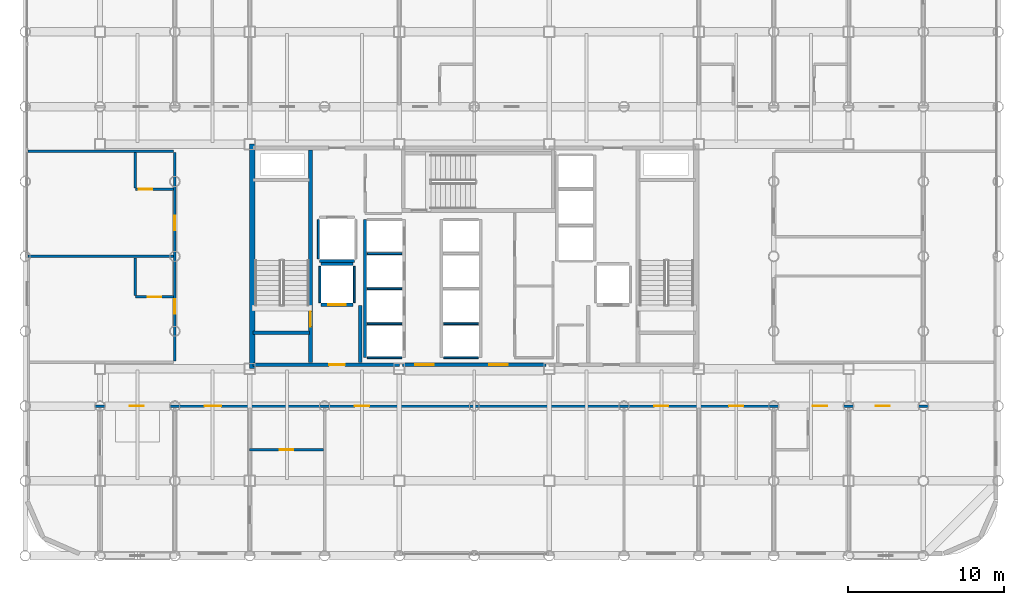
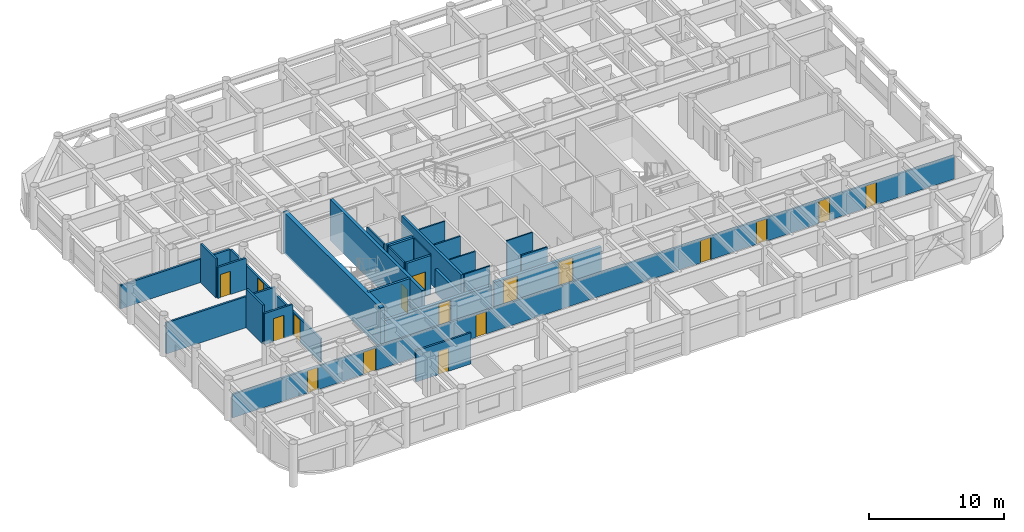
# One storey, part 17 of 22: 28 walls, 17 doors, 17 openings.
"""IFC4 building model written with IfcOpenShell, lengths in metres."""

from ifc_helpers import new_model, si_unit, direction, frame, frame_2d, origin, place, context, subcontext, project, spatial, rectangle, extrude, material, layer, layer_set, type_object, element, fill, save


model = new_model("IFC4")

# Units and contexts
model_context = context("Model", 3, precision=1e-05, world=origin(), true_north=direction((0.0, 1.0)))
body_context = subcontext(model_context, "Body", "Model", "MODEL_VIEW")
ifc_project = project(units=[si_unit("LENGTHUNIT", "METRE"), si_unit("AREAUNIT", "SQUARE_METRE"), si_unit("VOLUMEUNIT", "CUBIC_METRE"), si_unit("PLANEANGLEUNIT", "RADIAN"), si_unit("MASSUNIT", "GRAM", prefix="KILO")], contexts=[model_context])

# Site, building, storey
site_placement = place(None, origin())
site = spatial("IfcSite", under=ifc_project, at=site_placement, CompositionType="ELEMENT")
building_placement = place(site_placement, origin())
building = spatial("IfcBuilding", under=site, at=building_placement, Name="Kallvorn Hotel Tower", CompositionType="ELEMENT")
storey_placement = place(building_placement, frame((0.0, 0.0, 95.199951171875)))
storey = spatial("IfcBuildingStorey", under=building, at=storey_placement, Name="L22", CompositionType="ELEMENT", Elevation=95.199951171875)

# Wall
ifc_material_1 = material(Name="Concrete C50/60", Category="concrete")
ifc_layer_1 = layer(ifc_material_1, 0.35009765625)
ifc_layer_set_1 = layer_set([ifc_layer_1], Name="WL_CORE_350")
wall_type_1 = type_object("IfcWallType", Name="WL_CORE_350", PredefinedType="SHEAR", material=ifc_layer_set_1)
wall_1_placement = place(storey_placement, frame((-14.239990234375, -7.199951171875, -0.179931640625), z_axis=(0.0, 0.0, 1.0), x_axis=(0.0, 1.0, 0.0)))
element("IfcWall", 1, at=wall_1_placement, inside=storey, type_object=wall_type_1, Name="L22 Core West Shear Wall", PredefinedType="SHEAR", context=body_context, shape_type="SweptSolid", body=[
    extrude(rectangle(XDim=14.39990234375, YDim=0.35009765625, at=frame_2d((7.199951171875, 0.0))), origin(), (0.0, 0.0, 1.0), 3.699951171875),
])

# Wall, opening, door
ifc_material_2 = material(Name="Fire-rated double-layer acoustic gypsum drywall EI 60")
ifc_layer_2 = layer(ifc_material_2, 0.159912109375)
ifc_layer_set_2 = layer_set([ifc_layer_2], Name="WL_DEMISE_160")
wall_type_2 = type_object("IfcWallType", Name="WL_DEMISE_160", PredefinedType="PARTITIONING", material=ifc_layer_set_2)
wall_2_placement = place(storey_placement, frame((-14.39990234375, -12.39501953125, 0.0), z_axis=(0.0, 0.0, 1.0), x_axis=(1.0, 0.0, 0.0)))
wall_2 = element("IfcWall", 2, at=wall_2_placement, inside=storey, type_object=wall_type_2, Name="L22 Suite 2203 Executive Bedroom Partition", PredefinedType="PARTITIONING", context=body_context, shape_type="SweptSolid", body=[
    extrude(rectangle(XDim=4.719970703125, YDim=0.159912109375, at=frame_2d((2.35986328125, 0.0))), origin(), (0.0, 0.0, 1.0), 2.820068359375),
])
opening_1_placement = place(wall_2_placement, frame((1.929931640625, 0.0, 0.0)))
opening_1 = element("IfcOpeningElement", 3, at=opening_1_placement, cuts=wall_2, Name="Opening BD-I", PredefinedType="OPENING", context=body_context, shape_type="SweptSolid", body=[
    extrude(rectangle(XDim=0.860107421875, YDim=2.10009765625, at=frame_2d((0.43017578125, 1.050048828125))), frame((0.0, 0.094970703125, 0.0), z_axis=(0.0, -1.0, 0.0), x_axis=(1.0, 0.0, 0.0)), (0.0, 0.0, 1.0), 0.18994140625),
])
ifc_material_3 = material(Name="Solid-core walnut veneer fire-rated timber door leaf", Category="wood")
door_type_1 = type_object("IfcDoorType", Name="DR_BATH_860x2100", OperationType="NOTDEFINED", PredefinedType="DOOR", material=ifc_material_3)
door_1_placement = place(opening_1_placement, origin())
door_1 = element("IfcDoor", 4, at=door_1_placement, inside=storey, type_object=door_type_1, Name="L22 Suite 2203 En-Suite Bathroom Door", OperationType="SINGLE_SWING_RIGHT", OverallHeight=2.10009765625, OverallWidth=0.860107421875, PredefinedType="DOOR", context=body_context, shape_type="SweptSolid", body=[
    extrude(rectangle(XDim=0.860107421875, YDim=2.10009765625, at=frame_2d((0.43017578125, 1.050048828125))), frame((0.0, 0.02490234375, 0.0), z_axis=(0.0, -1.0, 0.0), x_axis=(1.0, 0.0, 0.0)), (0.0, 0.0, 1.0), 0.050048828125),
])
fill(opening_1, door_1)

# Wall, openings, doors
wall_3_placement = place(storey_placement, frame((-28.510009765625, -9.60009765625, 0.0), z_axis=(0.0, 0.0, 1.0), x_axis=(1.0, 0.0, 0.0)))
wall_3 = element("IfcWall", 5, at=wall_3_placement, inside=storey, type_object=wall_type_2, Name="L22 Suite 2203 Executive Living Salon Partition", PredefinedType="PARTITIONING", context=body_context, shape_type="SweptSolid", body=[
    extrude(rectangle(XDim=61.820068359375, YDim=0.159912109375, at=frame_2d((30.91015625, 0.0))), origin(), (0.0, 0.0, 1.0), 2.1201171875),
])
opening_2_placement = place(wall_3_placement, frame((6.419921875, 0.0, 0.0)))
opening_2 = element("IfcOpeningElement", 6, at=opening_2_placement, cuts=wall_3, Name="Opening SVD1A", PredefinedType="OPENING", context=body_context, shape_type="SweptSolid", body=[
    extrude(rectangle(XDim=0.89990234375, YDim=2.02001953125, at=frame_2d((0.449951171875, 1.010009765625))), frame((0.0, 0.094970703125, 0.0), z_axis=(0.0, -1.0, 0.0), x_axis=(1.0, 0.0, 0.0)), (0.0, 0.0, 1.0), 0.18994140625),
])
opening_3_placement = place(wall_3_placement, frame((54.240478515625, 0.0, 0.0)))
opening_3 = element("IfcOpeningElement", 7, at=opening_3_placement, cuts=wall_3, Name="Opening SVD1A", PredefinedType="OPENING", context=body_context, shape_type="SweptSolid", body=[
    extrude(rectangle(XDim=0.89990234375, YDim=2.02001953125, at=frame_2d((0.449951171875, 1.010009765625))), frame((0.0, 0.094970703125, 0.0), z_axis=(0.0, -1.0, 0.0), x_axis=(1.0, 0.0, 0.0)), (0.0, 0.0, 1.0), 0.18994140625),
])
opening_4_placement = place(wall_3_placement, frame((11.22509765625, 0.0, 0.0)))
opening_4 = element("IfcOpeningElement", 8, at=opening_4_placement, cuts=wall_3, Name="Opening GD2A", PredefinedType="OPENING", context=body_context, shape_type="SweptSolid", body=[
    extrude(rectangle(XDim=1.050048828125, YDim=2.02001953125, at=frame_2d((0.52490234375, 1.010009765625))), frame((0.0, 0.094970703125, 0.0), z_axis=(0.0, -1.0, 0.0), x_axis=(1.0, 0.0, 0.0)), (0.0, 0.0, 1.0), 0.18994140625),
])
opening_5_placement = place(wall_3_placement, frame((20.860107421875, 0.0, 0.0)))
opening_5 = element("IfcOpeningElement", 9, at=opening_5_placement, cuts=wall_3, Name="Opening SVD1A", PredefinedType="OPENING", context=body_context, shape_type="SweptSolid", body=[
    extrude(rectangle(XDim=0.89990234375, YDim=2.02001953125, at=frame_2d((0.449951171875, 1.010009765625))), frame((0.0, 0.094970703125, 0.0), z_axis=(0.0, -1.0, 0.0), x_axis=(1.0, 0.0, 0.0)), (0.0, 0.0, 1.0), 0.18994140625),
])
opening_6_placement = place(wall_3_placement, frame((40.06005859375, 0.0, 0.0)))
opening_6 = element("IfcOpeningElement", 10, at=opening_6_placement, cuts=wall_3, Name="Opening SVD1A", PredefinedType="OPENING", context=body_context, shape_type="SweptSolid", body=[
    extrude(rectangle(XDim=0.89990234375, YDim=2.02001953125, at=frame_2d((0.449951171875, 1.010009765625))), frame((0.0, 0.094970703125, 0.0), z_axis=(0.0, -1.0, 0.0), x_axis=(1.0, 0.0, 0.0)), (0.0, 0.0, 1.0), 0.18994140625),
])
opening_7_placement = place(wall_3_placement, frame((44.860107421875, 0.0, 0.0)))
opening_7 = element("IfcOpeningElement", 11, at=opening_7_placement, cuts=wall_3, Name="Opening SVD1A", PredefinedType="OPENING", context=body_context, shape_type="SweptSolid", body=[
    extrude(rectangle(XDim=0.89990234375, YDim=2.02001953125, at=frame_2d((0.449951171875, 1.010009765625))), frame((0.0, 0.094970703125, 0.0), z_axis=(0.0, -1.0, 0.0), x_axis=(1.0, 0.0, 0.0)), (0.0, 0.0, 1.0), 0.18994140625),
])
opening_8_placement = place(wall_3_placement, frame((50.219970703125, 0.0, 0.0)))
opening_8 = element("IfcOpeningElement", 12, at=opening_8_placement, cuts=wall_3, Name="Opening GD1A", PredefinedType="OPENING", context=body_context, shape_type="SweptSolid", body=[
    extrude(rectangle(XDim=0.919921875, YDim=2.02001953125, at=frame_2d((0.4599609375, 1.010009765625))), frame((0.0, 0.094970703125, 0.0), z_axis=(0.0, -1.0, 0.0), x_axis=(1.0, 0.0, 0.0)), (0.0, 0.0, 1.0), 0.18994140625),
])
ifc_material_4 = material(Name="Solid-core walnut veneer fire-rated timber door leaf", Category="wood")
door_type_2 = type_object("IfcDoorType", Name="DR_GUEST_920x2020", OperationType="NOTDEFINED", PredefinedType="DOOR", material=ifc_material_4)
door_2_placement = place(opening_8_placement, origin())
door_2 = element("IfcDoor", 13, at=door_2_placement, inside=storey, type_object=door_type_2, Name="L22 Suite 2204 Deluxe King Room Door", OperationType="SINGLE_SWING_RIGHT", OverallHeight=2.02001953125, OverallWidth=0.919921875, PredefinedType="DOOR", context=body_context, shape_type="SweptSolid", body=[
    extrude(rectangle(XDim=0.919921875, YDim=2.02001953125, at=frame_2d((0.4599609375, 1.010009765625))), frame((0.0, 0.02490234375, 0.0), z_axis=(0.0, -1.0, 0.0), x_axis=(1.0, 0.0, 0.0)), (0.0, 0.0, 1.0), 0.050048828125),
])
fill(opening_8, door_2)
ifc_material_5 = material(Name="Galvanised painted steel fire-rated door assembly", Category="steel")
door_type_3 = type_object("IfcDoorType", Name="DR_SERV_900x2020", OperationType="NOTDEFINED", PredefinedType="DOOR", material=ifc_material_5)
door_3_placement = place(opening_2_placement, origin())
door_3 = element("IfcDoor", 14, at=door_3_placement, inside=storey, type_object=door_type_3, Name="L22 L22 South-West Botanical Bar B Door", OperationType="SINGLE_SWING_RIGHT", OverallHeight=2.02001953125, OverallWidth=0.89990234375, PredefinedType="DOOR", context=body_context, shape_type="SweptSolid", body=[
    extrude(rectangle(XDim=0.89990234375, YDim=2.02001953125, at=frame_2d((0.449951171875, 1.010009765625))), frame((0.0, 0.02490234375, 0.0), z_axis=(0.0, -1.0, 0.0), x_axis=(1.0, 0.0, 0.0)), (0.0, 0.0, 1.0), 0.050048828125),
])
fill(opening_2, door_3)
door_4_placement = place(opening_3_placement, origin())
door_4 = element("IfcDoor", 15, at=door_4_placement, inside=storey, type_object=door_type_3, Name="L22 L22 South-East Sommelier Bar Door", OperationType="SINGLE_SWING_RIGHT", OverallHeight=2.02001953125, OverallWidth=0.89990234375, PredefinedType="DOOR", context=body_context, shape_type="SweptSolid", body=[
    extrude(rectangle(XDim=0.89990234375, YDim=2.02001953125, at=frame_2d((0.449951171875, 1.010009765625))), frame((0.0, 0.02490234375, 0.0), z_axis=(0.0, -1.0, 0.0), x_axis=(1.0, 0.0, 0.0)), (0.0, 0.0, 1.0), 0.050048828125),
])
fill(opening_3, door_4)
door_5_placement = place(opening_5_placement, origin())
door_5 = element("IfcDoor", 16, at=door_5_placement, inside=storey, type_object=door_type_3, Name="L22 L22 Panorama Banquet Event Hall 2 Door", OperationType="SINGLE_SWING_LEFT", OverallHeight=2.02001953125, OverallWidth=0.89990234375, PredefinedType="DOOR", context=body_context, shape_type="SweptSolid", body=[
    extrude(rectangle(XDim=0.89990234375, YDim=2.02001953125, at=frame_2d((0.449951171875, 1.010009765625))), frame((0.0, 0.02490234375, 0.0), z_axis=(0.0, -1.0, 0.0), x_axis=(1.0, 0.0, 0.0)), (0.0, 0.0, 1.0), 0.050048828125),
])
fill(opening_5, door_5)
door_6_placement = place(opening_6_placement, origin())
door_6 = element("IfcDoor", 17, at=door_6_placement, inside=storey, type_object=door_type_3, Name="L22 L22 Restaurant Culinary Catering Kitchen 3-1 Door", OperationType="SINGLE_SWING_LEFT", OverallHeight=2.02001953125, OverallWidth=0.89990234375, PredefinedType="DOOR", context=body_context, shape_type="SweptSolid", body=[
    extrude(rectangle(XDim=0.89990234375, YDim=2.02001953125, at=frame_2d((0.449951171875, 1.010009765625))), frame((0.0, 0.02490234375, 0.0), z_axis=(0.0, -1.0, 0.0), x_axis=(1.0, 0.0, 0.0)), (0.0, 0.0, 1.0), 0.050048828125),
])
fill(opening_6, door_6)
door_7_placement = place(opening_7_placement, origin())
door_7 = element("IfcDoor", 18, at=door_7_placement, inside=storey, type_object=door_type_3, Name="L22 L22 Restaurant Culinary Catering Kitchen 3-2 Door", OperationType="SINGLE_SWING_RIGHT", OverallHeight=2.02001953125, OverallWidth=0.89990234375, PredefinedType="DOOR", context=body_context, shape_type="SweptSolid", body=[
    extrude(rectangle(XDim=0.89990234375, YDim=2.02001953125, at=frame_2d((0.449951171875, 1.010009765625))), frame((0.0, 0.02490234375, 0.0), z_axis=(0.0, -1.0, 0.0), x_axis=(1.0, 0.0, 0.0)), (0.0, 0.0, 1.0), 0.050048828125),
])
fill(opening_7, door_7)
ifc_material_6 = material(Name="Solid-core walnut veneer fire-rated timber door leaf", Category="wood")
door_type_4 = type_object("IfcDoorType", Name="DR_SUITE_1050x2020", OperationType="NOTDEFINED", PredefinedType="DOOR", material=ifc_material_6)
door_8_placement = place(opening_4_placement, origin())
door_8 = element("IfcDoor", 19, at=door_8_placement, inside=storey, type_object=door_type_4, Name="L22 Suite 2203 Executive Living Salon Door", OperationType="SINGLE_SWING_LEFT", OverallHeight=2.02001953125, OverallWidth=1.050048828125, PredefinedType="DOOR", context=body_context, shape_type="SweptSolid", body=[
    extrude(rectangle(XDim=1.050048828125, YDim=2.02001953125, at=frame_2d((0.52490234375, 1.010009765625))), frame((0.0, 0.02490234375, 0.0), z_axis=(0.0, -1.0, 0.0), x_axis=(1.0, 0.0, 0.0)), (0.0, 0.0, 1.0), 0.050048828125),
])
fill(opening_4, door_8)

# Wall, opening, door
wall_4_placement = place(storey_placement, frame((-21.72998046875, -2.60009765625, 0.0), z_axis=(0.0, 0.0, 1.0), x_axis=(1.0, 0.0, 0.0)))
wall_4 = element("IfcWall", 20, at=wall_4_placement, inside=storey, type_object=wall_type_2, Name="L22 Suite 2201 W Loggia King Room Partition", PredefinedType="PARTITIONING", context=body_context, shape_type="SweptSolid", body=[
    extrude(rectangle(XDim=2.449951171875, YDim=0.159912109375, at=frame_2d((1.22509765625, 0.0))), origin(), (0.0, 0.0, 1.0), 2.820068359375),
])
opening_9_placement = place(wall_4_placement, frame((0.794921875, 0.0, 0.0)))
opening_9 = element("IfcOpeningElement", 21, at=opening_9_placement, cuts=wall_4, Name="Opening BD-I", PredefinedType="OPENING", context=body_context, shape_type="SweptSolid", body=[
    extrude(rectangle(XDim=0.860107421875, YDim=2.10009765625, at=frame_2d((0.43017578125, 1.050048828125))), frame((0.0, 0.094970703125, 0.0), z_axis=(0.0, -1.0, 0.0), x_axis=(1.0, 0.0, 0.0)), (0.0, 0.0, 1.0), 0.18994140625),
])
door_9_placement = place(opening_9_placement, origin())
door_9 = element("IfcDoor", 22, at=door_9_placement, inside=storey, type_object=door_type_1, Name="L22 Suite 2201 En-Suite Bathroom Door", OperationType="SINGLE_SWING_RIGHT", OverallHeight=2.10009765625, OverallWidth=0.860107421875, PredefinedType="DOOR", context=body_context, shape_type="SweptSolid", body=[
    extrude(rectangle(XDim=0.860107421875, YDim=2.10009765625, at=frame_2d((0.43017578125, 1.050048828125))), frame((0.0, 0.02490234375, 0.0), z_axis=(0.0, -1.0, 0.0), x_axis=(1.0, 0.0, 0.0)), (0.0, 0.0, 1.0), 0.050048828125),
])
fill(opening_9, door_9)

# Wall
wall_5_placement = place(storey_placement, frame((-28.6298828125, 0.0, 0.0), z_axis=(0.0, 0.0, 1.0), x_axis=(1.0, 0.0, 0.0)))
element("IfcWall", 23, at=wall_5_placement, inside=storey, type_object=wall_type_2, Name="L22 Suite 2202 W Andean Twin Room Partition", PredefinedType="PARTITIONING", context=body_context, shape_type="SweptSolid", body=[
    extrude(rectangle(XDim=9.349853515625, YDim=0.159912109375, at=frame_2d((4.6748046875, 0.0))), origin(), (0.0, 0.0, 1.0), 2.820068359375),
])

# Wall, opening, door
wall_6_placement = place(storey_placement, frame((-21.72998046875, 4.300048828125, 0.0), z_axis=(0.0, 0.0, 1.0), x_axis=(1.0, 0.0, 0.0)))
wall_6 = element("IfcWall", 24, at=wall_6_placement, inside=storey, type_object=wall_type_2, Name="L22 Suite 2202 W Andean Twin Room Partition", PredefinedType="PARTITIONING", context=body_context, shape_type="SweptSolid", body=[
    extrude(rectangle(XDim=2.449951171875, YDim=0.159912109375, at=frame_2d((1.22509765625, 0.0))), origin(), (0.0, 0.0, 1.0), 2.820068359375),
])
opening_10_placement = place(wall_6_placement, frame((0.219970703125, 0.0, 0.0)))
opening_10 = element("IfcOpeningElement", 25, at=opening_10_placement, cuts=wall_6, Name="Opening BD-I", PredefinedType="OPENING", context=body_context, shape_type="SweptSolid", body=[
    extrude(rectangle(XDim=0.860107421875, YDim=2.10009765625, at=frame_2d((0.43017578125, 1.050048828125))), frame((0.0, 0.094970703125, 0.0), z_axis=(0.0, -1.0, 0.0), x_axis=(1.0, 0.0, 0.0)), (0.0, 0.0, 1.0), 0.18994140625),
])
door_10_placement = place(opening_10_placement, origin())
door_10 = element("IfcDoor", 26, at=door_10_placement, inside=storey, type_object=door_type_1, Name="L22 Suite 2202 En-Suite Bathroom Door", OperationType="SINGLE_SWING_LEFT", OverallHeight=2.10009765625, OverallWidth=0.860107421875, PredefinedType="DOOR", context=body_context, shape_type="SweptSolid", body=[
    extrude(rectangle(XDim=0.860107421875, YDim=2.10009765625, at=frame_2d((0.43017578125, 1.050048828125))), frame((0.0, 0.02490234375, 0.0), z_axis=(0.0, -1.0, 0.0), x_axis=(1.0, 0.0, 0.0)), (0.0, 0.0, 1.0), 0.050048828125),
])
fill(opening_10, door_10)

# Walls
wall_7_placement = place(storey_placement, frame((-28.6298828125, 6.75, 0.0), z_axis=(0.0, 0.0, 1.0), x_axis=(1.0, 0.0, 0.0)))
element("IfcWall", 27, at=wall_7_placement, inside=storey, type_object=wall_type_2, Name="L22 Suite 2202 W Andean Twin Room Partition", PredefinedType="PARTITIONING", context=body_context, shape_type="SweptSolid", body=[
    extrude(rectangle(XDim=9.349853515625, YDim=0.159912109375, at=frame_2d((4.6748046875, 0.0))), origin(), (0.0, 0.0, 1.0), 2.1201171875),
])
wall_8_placement = place(storey_placement, frame((-21.72998046875, -2.514892578125, 0.0), z_axis=(0.0, 0.0, 1.0), x_axis=(0.0, 1.0, 0.0)))
element("IfcWall", 28, at=wall_8_placement, inside=storey, type_object=wall_type_2, Name="L22 Suite 2201 W Loggia King Room Partition", PredefinedType="PARTITIONING", context=body_context, shape_type="SweptSolid", body=[
    extrude(rectangle(XDim=2.414794921875, YDim=0.159912109375, at=frame_2d((1.20751953125, 0.0))), origin(), (0.0, 0.0, 1.0), 3.52001953125),
])
wall_9_placement = place(storey_placement, frame((-21.72998046875, 4.385009765625, 0.0), z_axis=(0.0, 0.0, 1.0), x_axis=(0.0, 1.0, 0.0)))
element("IfcWall", 29, at=wall_9_placement, inside=storey, type_object=wall_type_2, Name="L22 Suite 2202 W Andean Twin Room Partition", PredefinedType="PARTITIONING", context=body_context, shape_type="SweptSolid", body=[
    extrude(rectangle(XDim=2.280029296875, YDim=0.159912109375, at=frame_2d((1.14013671875, 0.0))), origin(), (0.0, 0.0, 1.0), 3.52001953125),
])

# Wall, openings, doors
wall_10_placement = place(storey_placement, frame((-19.199951171875, -6.715087890625, 0.0), z_axis=(0.0, 0.0, 1.0), x_axis=(0.0, 1.0, 0.0)))
wall_10 = element("IfcWall", 30, at=wall_10_placement, inside=storey, type_object=wall_type_2, Name="L22 Suite 2201 W Loggia King Room Partition", PredefinedType="PARTITIONING", context=body_context, shape_type="SweptSolid", body=[
    extrude(rectangle(XDim=13.380126953125, YDim=0.159912109375, at=frame_2d((6.68994140625, 0.0))), origin(), (0.0, 0.0, 1.0), 2.1201171875),
])
opening_11_placement = place(wall_10_placement, frame((3.034912109375, 0.0, 0.0)))
opening_11 = element("IfcOpeningElement", 31, at=opening_11_placement, cuts=wall_10, Name="Opening GD1A", PredefinedType="OPENING", context=body_context, shape_type="SweptSolid", body=[
    extrude(rectangle(XDim=0.919921875, YDim=2.02001953125, at=frame_2d((0.4599609375, 1.010009765625))), frame((0.0, 0.094970703125, 0.0), z_axis=(0.0, -1.0, 0.0), x_axis=(1.0, 0.0, 0.0)), (0.0, 0.0, 1.0), 0.18994140625),
])
opening_12_placement = place(wall_10_placement, frame((8.385009765625, 0.0, 0.0)))
opening_12 = element("IfcOpeningElement", 32, at=opening_12_placement, cuts=wall_10, Name="Opening GD1A", PredefinedType="OPENING", context=body_context, shape_type="SweptSolid", body=[
    extrude(rectangle(XDim=0.919921875, YDim=2.02001953125, at=frame_2d((0.4599609375, 1.010009765625))), frame((0.0, 0.094970703125, 0.0), z_axis=(0.0, -1.0, 0.0), x_axis=(1.0, 0.0, 0.0)), (0.0, 0.0, 1.0), 0.18994140625),
])
door_11_placement = place(opening_11_placement, origin())
door_11 = element("IfcDoor", 33, at=door_11_placement, inside=storey, type_object=door_type_2, Name="L22 Suite 2201 W Loggia King Room Door", OperationType="SINGLE_SWING_RIGHT", OverallHeight=2.02001953125, OverallWidth=0.919921875, PredefinedType="DOOR", context=body_context, shape_type="SweptSolid", body=[
    extrude(rectangle(XDim=0.919921875, YDim=2.02001953125, at=frame_2d((0.4599609375, 1.010009765625))), frame((0.0, 0.02490234375, 0.0), z_axis=(0.0, -1.0, 0.0), x_axis=(1.0, 0.0, 0.0)), (0.0, 0.0, 1.0), 0.050048828125),
])
fill(opening_11, door_11)
door_12_placement = place(opening_12_placement, origin())
door_12 = element("IfcDoor", 34, at=door_12_placement, inside=storey, type_object=door_type_2, Name="L22 Suite 2202 W Andean Twin Room Door", OperationType="SINGLE_SWING_LEFT", OverallHeight=2.02001953125, OverallWidth=0.919921875, PredefinedType="DOOR", context=body_context, shape_type="SweptSolid", body=[
    extrude(rectangle(XDim=0.919921875, YDim=2.02001953125, at=frame_2d((0.4599609375, 1.010009765625))), frame((0.0, 0.02490234375, 0.0), z_axis=(0.0, -1.0, 0.0), x_axis=(1.0, 0.0, 0.0)), (0.0, 0.0, 1.0), 0.050048828125),
])
fill(opening_12, door_12)

# Walls
ifc_material_7 = material(Name="Concrete C40/50", Category="concrete")
ifc_layer_3 = layer(ifc_material_7, 0.219970703125)
ifc_layer_set_3 = layer_set([ifc_layer_3], Name="WL_FFL_220")
wall_type_3 = type_object("IfcWallType", Name="WL_FFL_220", PredefinedType="SOLIDWALL", material=ifc_layer_set_3)
wall_11_placement = place(storey_placement, frame((-7.300048828125, -6.820068359375, 0.0), z_axis=(0.0, 0.0, 1.0), x_axis=(0.0, 1.0, 0.0)))
element("IfcWall", 35, at=wall_11_placement, inside=storey, type_object=wall_type_3, Name="L22 Firefighting Lobby West Divider Wall", PredefinedType="SOLIDWALL", context=body_context, shape_type="SweptSolid", body=[
    extrude(rectangle(XDim=3.670166015625, YDim=0.219970703125, at=frame_2d((1.8349609375, 0.0))), origin(), (0.0, 0.0, 1.0), 2.1201171875),
])
ifc_material_8 = material(Name="Concrete C40/50", Category="concrete")
ifc_layer_4 = layer(ifc_material_8, 0.199951171875)
ifc_layer_set_4 = layer_set([ifc_layer_4], Name="WL_HOIST_200")
wall_type_4 = type_object("IfcWallType", Name="WL_HOIST_200", PredefinedType="SOLIDWALL", material=ifc_layer_set_4)
wall_12_placement = place(storey_placement, frame((-14.199951171875, -4.89990234375, -0.179931640625), z_axis=(0.0, 0.0, 1.0), x_axis=(1.0, 0.0, 0.0)))
element("IfcWall", 36, at=wall_12_placement, inside=storey, type_object=wall_type_4, Name="L22 Stair ST1 South Wall", PredefinedType="SOLIDWALL", context=body_context, shape_type="SweptSolid", body=[
    extrude(rectangle(XDim=3.64990234375, YDim=0.199951171875, at=frame_2d((1.824951171875, 0.0))), origin(), (0.0, 0.0, 1.0), 3.699951171875),
])
wall_13_placement = place(storey_placement, frame((-7.0, -6.5, 0.0), z_axis=(0.0, 0.0, 1.0), x_axis=(0.0, 1.0, 0.0)))
element("IfcWall", 37, at=wall_13_placement, inside=storey, type_object=wall_type_4, Name="L22 Lift Bank B1 Rear Shaft Wall", PredefinedType="SOLIDWALL", context=body_context, shape_type="SweptSolid", body=[
    extrude(rectangle(XDim=8.85009765625, YDim=0.199951171875, at=frame_2d((4.425048828125, 0.0))), origin(), (0.0, 0.0, 1.0), 3.52001953125),
])

# Wall, opening, door
wall_14_placement = place(storey_placement, frame((-9.820068359375, -3.10009765625, 0.0), z_axis=(0.0, 0.0, 1.0), x_axis=(1.0, 0.0, 0.0)))
wall_14 = element("IfcWall", 38, at=wall_14_placement, inside=storey, type_object=wall_type_4, Name="L22 FL-1 Landing Wall", PredefinedType="SOLIDWALL", context=body_context, shape_type="SweptSolid", body=[
    extrude(rectangle(XDim=2.0400390625, YDim=0.199951171875, at=frame_2d((1.02001953125, 0.0))), origin(), (0.0, 0.0, 1.0), 3.52001953125),
])
opening_13_placement = place(wall_14_placement, frame((0.469970703125, 0.0, 0.0)))
opening_13 = element("IfcOpeningElement", 39, at=opening_13_placement, cuts=wall_14, Name="Opening LD-FL-1", PredefinedType="OPENING", context=body_context, shape_type="SweptSolid", body=[
    extrude(rectangle(XDim=1.10009765625, YDim=2.199951171875, at=frame_2d((0.550048828125, 1.10009765625))), frame((0.0, 0.114990234375, 0.0), z_axis=(0.0, -1.0, 0.0), x_axis=(1.0, 0.0, 0.0)), (0.0, 0.0, 1.0), 0.22998046875),
])
ifc_material_9 = material(Name="Brushed stainless-steel automatic sliding lift landing door", Category="steel")
door_type_5 = type_object("IfcDoorType", Name="LD_PASS_1100x2200", OperationType="SLIDING_TO_LEFT", PredefinedType="DOOR", material=ifc_material_9)
door_13_placement = place(opening_13_placement, origin())
door_13 = element("IfcDoor", 40, at=door_13_placement, inside=storey, type_object=door_type_5, Name="L22 Lift Landing Sliding Door LD-FL-1", OperationType="SLIDING_TO_LEFT", OverallHeight=2.199951171875, OverallWidth=1.10009765625, PredefinedType="DOOR", context=body_context, shape_type="SweptSolid", body=[
    extrude(rectangle(XDim=1.10009765625, YDim=2.199951171875, at=frame_2d((0.550048828125, 1.10009765625))), frame((0.0, 0.02490234375, 0.0), z_axis=(0.0, -1.0, 0.0), x_axis=(1.0, 0.0, 0.0)), (0.0, 0.0, 1.0), 0.050048828125),
])
fill(opening_13, door_13)

# Walls
wall_15_placement = place(storey_placement, frame((-9.820068359375, -0.5, 0.0), z_axis=(0.0, 0.0, 1.0), x_axis=(1.0, 0.0, 0.0)))
element("IfcWall", 41, at=wall_15_placement, inside=storey, type_object=wall_type_4, Name="L22 FL-1 Rear Shaft Wall", PredefinedType="SOLIDWALL", context=body_context, shape_type="SweptSolid", body=[
    extrude(rectangle(XDim=2.0400390625, YDim=0.199951171875, at=frame_2d((1.02001953125, 0.0))), origin(), (0.0, 0.0, 1.0), 3.52001953125),
])
wall_16_placement = place(storey_placement, frame((-9.919921875, -0.300048828125, 0.0), z_axis=(0.0, 0.0, 1.0), x_axis=(1.0, 0.0, 0.0)))
element("IfcWall", 42, at=wall_16_placement, inside=storey, type_object=wall_type_4, Name="L22 SV-01 Rear Shaft Wall", PredefinedType="SOLIDWALL", context=body_context, shape_type="SweptSolid", body=[
    extrude(rectangle(XDim=2.239990234375, YDim=0.199951171875, at=frame_2d((1.1201171875, 0.0))), origin(), (0.0, 0.0, 1.0), 3.52001953125),
])
ifc_material_10 = material(Name="Fire-rated double-layer acoustic gypsum drywall EI 60")
ifc_layer_5 = layer(ifc_material_10, 0.1201171875)
ifc_layer_set_5 = layer_set([ifc_layer_5], Name="WL_INT_120")
wall_type_5 = type_object("IfcWallType", Name="WL_INT_120", PredefinedType="PARTITIONING", material=ifc_layer_set_5)
for number, where, z_axis, x_axis, name in (
    (43, (-6.860107421875, -6.5, 0.0), (0.0, 0.0, 1.0), (1.0, 0.0, 0.0), "L22 Lift Bank B1 South Closure Wall"),
    (44, (-6.860107421875, -4.324951171875, 0.0), (0.0, 0.0, 1.0), (1.0, 0.0, 0.0), "L22 PL-01 Hoistway Divider"),
    (45, (-6.860107421875, -2.074951171875, 0.0), (0.0, 0.0, 1.0), (1.0, 0.0, 0.0), "L22 PL-02 Hoistway Divider"),
    (46, (-6.860107421875, 0.175048828125, 0.0), (0.0, 0.0, 1.0), (1.0, 0.0, 0.0), "L22 PL-03 Hoistway Divider"),
):
    element("IfcWall", number, at=place(storey_placement, frame(where, z_axis=z_axis, x_axis=x_axis)), inside=storey, type_object=wall_type_5, Name=name, PredefinedType="PARTITIONING", context=body_context, shape_type="SweptSolid", body=[
        extrude(rectangle(XDim=2.22021484375, YDim=0.1201171875, at=frame_2d((1.110107421875, 0.0))), origin(), (0.0, 0.0, 1.0), 3.52001953125),
    ])
for number, where, z_axis, x_axis, name in (
    (47, (-1.9599609375, -6.5, 0.0), (0.0, 0.0, 1.0), (1.0, 0.0, 0.0), "L22 Lift Bank B2 South Closure Wall"),
    (48, (-1.9599609375, -4.324951171875, 0.0), (0.0, 0.0, 1.0), (1.0, 0.0, 0.0), "L22 PL-05 Hoistway Divider"),
):
    element("IfcWall", number, at=place(storey_placement, frame(where, z_axis=z_axis, x_axis=x_axis)), inside=storey, type_object=wall_type_5, Name=name, PredefinedType="PARTITIONING", context=body_context, shape_type="SweptSolid", body=[
        extrude(rectangle(XDim=2.219970703125, YDim=0.1201171875, at=frame_2d((1.10986328125, 0.0))), origin(), (0.0, 0.0, 1.0), 3.52001953125),
    ])
for number, where, z_axis, x_axis, name in (
    (49, (-9.89990234375, -2.9599609375, 0.0), (0.0, 0.0, 1.0), (0.0, 1.0, 0.0), "L22 FL-1 West Shaft Wall"),
    (50, (-7.699951171875, -2.9599609375, 0.0), (0.0, 0.0, 1.0), (0.0, 1.0, 0.0), "L22 FL-1 East Shaft Wall"),
):
    element("IfcWall", number, at=place(storey_placement, frame(where, z_axis=z_axis, x_axis=x_axis)), inside=storey, type_object=wall_type_5, Name=name, PredefinedType="PARTITIONING", context=body_context, shape_type="SweptSolid", body=[
        extrude(rectangle(XDim=2.320068359375, YDim=0.1201171875, at=frame_2d((1.16015625, 0.0))), origin(), (0.0, 0.0, 1.0), 3.52001953125),
    ])
wall_17_placement = place(storey_placement, frame((-10.0, -0.159912109375, 0.0), z_axis=(0.0, 0.0, 1.0), x_axis=(0.0, 1.0, 0.0)))
element("IfcWall", 51, at=wall_17_placement, inside=storey, type_object=wall_type_5, Name="L22 SV-01 West Shaft Wall", PredefinedType="PARTITIONING", context=body_context, shape_type="SweptSolid", body=[
    extrude(rectangle(XDim=2.52001953125, YDim=0.1201171875, at=frame_2d((1.260009765625, 0.0))), origin(), (0.0, 0.0, 1.0), 3.52001953125),
])

# Wall, opening, door
ifc_material_11 = material(Name="Concrete C40/50", Category="concrete")
ifc_layer_6 = layer(ifc_material_11, 0.25)
ifc_layer_set_6 = layer_set([ifc_layer_6], Name="WL_SHAFT_250")
wall_type_6 = type_object("IfcWallType", Name="WL_SHAFT_250", PredefinedType="SOLIDWALL", material=ifc_layer_set_6)
wall_18_placement = place(storey_placement, frame((-14.199951171875, -6.949951171875, 0.0), z_axis=(0.0, 0.0, 1.0), x_axis=(1.0, 0.0, 0.0)))
wall_18 = element("IfcWall", 52, at=wall_18_placement, inside=storey, type_object=wall_type_6, Name="L22 Core South-West Wall", PredefinedType="SOLIDWALL", context=body_context, shape_type="SweptSolid", body=[
    extrude(rectangle(XDim=9.39990234375, YDim=0.25, at=frame_2d((4.699951171875, 0.0))), origin(), (0.0, 0.0, 1.0), 2.1201171875),
])
opening_14_placement = place(wall_18_placement, frame((4.89990234375, 0.0, 0.0)))
opening_14 = element("IfcOpeningElement", 53, at=opening_14_placement, cuts=wall_18, Name="Opening FD1A", PredefinedType="OPENING", context=body_context, shape_type="SweptSolid", body=[
    extrude(rectangle(XDim=1.0, YDim=2.02001953125, at=frame_2d((0.5, 1.010009765625))), frame((0.0, 0.139892578125, 0.0), z_axis=(0.0, -1.0, 0.0), x_axis=(1.0, 0.0, 0.0)), (0.0, 0.0, 1.0), 0.280029296875),
])
ifc_material_12 = material(Name="Galvanised painted steel fire-rated door assembly", Category="steel")
door_type_6 = type_object("IfcDoorType", Name="DR_FFL_1000x2020", OperationType="NOTDEFINED", PredefinedType="DOOR", material=ifc_material_12)
door_14_placement = place(opening_14_placement, origin())
door_14 = element("IfcDoor", 54, at=door_14_placement, inside=storey, type_object=door_type_6, Name="L22 Firefighting Lobby West Door", OperationType="SINGLE_SWING_RIGHT", OverallHeight=2.02001953125, OverallWidth=1.0, PredefinedType="DOOR", context=body_context, shape_type="SweptSolid", body=[
    extrude(rectangle(XDim=1.0, YDim=2.02001953125, at=frame_2d((0.5, 1.010009765625))), frame((0.0, 0.02490234375, 0.0), z_axis=(0.0, -1.0, 0.0), x_axis=(1.0, 0.0, 0.0)), (0.0, 0.0, 1.0), 0.050048828125),
])
fill(opening_14, door_14)

# Wall, openings, doors
wall_19_placement = place(storey_placement, frame((-4.60009765625, -6.949951171875, 0.0), z_axis=(0.0, 0.0, 1.0), x_axis=(1.0, 0.0, 0.0)))
wall_19 = element("IfcWall", 55, at=wall_19_placement, inside=storey, type_object=wall_type_6, Name="L22 Core South-Central Wall", PredefinedType="SOLIDWALL", context=body_context, shape_type="SweptSolid", body=[
    extrude(rectangle(XDim=9.2001953125, YDim=0.25, at=frame_2d((4.60009765625, 0.0))), origin(), (0.0, 0.0, 1.0), 2.320068359375),
])
opening_15_placement = place(wall_19_placement, frame((0.800048828125, 0.0, 0.0)))
opening_15 = element("IfcOpeningElement", 56, at=opening_15_placement, cuts=wall_19, Name="Opening FD2", PredefinedType="OPENING", context=body_context, shape_type="SweptSolid", body=[
    extrude(rectangle(XDim=1.199951171875, YDim=2.199951171875, at=frame_2d((0.60009765625, 1.10009765625))), frame((0.0, 0.139892578125, 0.0), z_axis=(0.0, -1.0, 0.0), x_axis=(1.0, 0.0, 0.0)), (0.0, 0.0, 1.0), 0.280029296875),
])
opening_16_placement = place(wall_19_placement, frame((5.550048828125, 0.0, 0.0)))
opening_16 = element("IfcOpeningElement", 57, at=opening_16_placement, cuts=wall_19, Name="Opening FD2", PredefinedType="OPENING", context=body_context, shape_type="SweptSolid", body=[
    extrude(rectangle(XDim=1.199951171875, YDim=2.199951171875, at=frame_2d((0.60009765625, 1.10009765625))), frame((0.0, 0.139892578125, 0.0), z_axis=(0.0, -1.0, 0.0), x_axis=(1.0, 0.0, 0.0)), (0.0, 0.0, 1.0), 0.280029296875),
])
ifc_material_13 = material(Name="Galvanised painted steel fire-rated door assembly", Category="steel")
door_type_7 = type_object("IfcDoorType", Name="DR_LOBBY_1200x2200", OperationType="DOUBLE_DOOR_SINGLE_SWING", PredefinedType="DOOR", material=ifc_material_13)
door_15_placement = place(opening_15_placement, origin())
door_15 = element("IfcDoor", 58, at=door_15_placement, inside=storey, type_object=door_type_7, Name="L22 West Passenger Lift Lobby Door", OperationType="DOUBLE_DOOR_SINGLE_SWING", OverallHeight=2.199951171875, OverallWidth=1.199951171875, PredefinedType="DOOR", context=body_context, shape_type="SweptSolid", body=[
    extrude(rectangle(XDim=1.199951171875, YDim=2.199951171875, at=frame_2d((0.60009765625, 1.10009765625))), frame((0.0, 0.02490234375, 0.0), z_axis=(0.0, -1.0, 0.0), x_axis=(1.0, 0.0, 0.0)), (0.0, 0.0, 1.0), 0.050048828125),
])
fill(opening_15, door_15)
door_16_placement = place(opening_16_placement, origin())
door_16 = element("IfcDoor", 59, at=door_16_placement, inside=storey, type_object=door_type_7, Name="L22 East Passenger Lift Lobby Door", OperationType="DOUBLE_DOOR_SINGLE_SWING", OverallHeight=2.199951171875, OverallWidth=1.199951171875, PredefinedType="DOOR", context=body_context, shape_type="SweptSolid", body=[
    extrude(rectangle(XDim=1.199951171875, YDim=2.199951171875, at=frame_2d((0.60009765625, 1.10009765625))), frame((0.0, 0.02490234375, 0.0), z_axis=(0.0, -1.0, 0.0), x_axis=(1.0, 0.0, 0.0)), (0.0, 0.0, 1.0), 0.050048828125),
])
fill(opening_16, door_16)

# Wall, opening, door
wall_20_placement = place(storey_placement, frame((-10.5, -6.820068359375, -0.179931640625), z_axis=(0.0, 0.0, 1.0), x_axis=(0.0, 1.0, 0.0)))
wall_20 = element("IfcWall", 60, at=wall_20_placement, inside=storey, type_object=wall_type_6, Name="L22 Stair ST1 Shaft Wall", PredefinedType="SOLIDWALL", context=body_context, shape_type="SweptSolid", body=[
    extrude(rectangle(XDim=13.64013671875, YDim=0.25, at=frame_2d((6.820068359375, 0.0))), origin(), (0.0, 0.0, 1.0), 3.699951171875),
])
opening_17_placement = place(wall_20_placement, frame((2.320068359375, 0.0, 0.179931640625)))
opening_17 = element("IfcOpeningElement", 61, at=opening_17_placement, cuts=wall_20, Name="Opening SD1", PredefinedType="OPENING", context=body_context, shape_type="SweptSolid", body=[
    extrude(rectangle(XDim=0.949951171875, YDim=2.14990234375, at=frame_2d((0.47509765625, 1.074951171875))), frame((0.0, 0.139892578125, 0.0), z_axis=(0.0, -1.0, 0.0), x_axis=(1.0, 0.0, 0.0)), (0.0, 0.0, 1.0), 0.280029296875),
])
ifc_material_14 = material(Name="Galvanised painted steel fire-rated door assembly", Category="steel")
door_type_8 = type_object("IfcDoorType", Name="DR_STAIR_950x2150", OperationType="NOTDEFINED", PredefinedType="DOOR", material=ifc_material_14)
door_17_placement = place(opening_17_placement, origin())
door_17 = element("IfcDoor", 62, at=door_17_placement, inside=storey, type_object=door_type_8, Name="L22 Exit Stair ST1 Fire Door", OperationType="SINGLE_SWING_LEFT", OverallHeight=2.14990234375, OverallWidth=0.949951171875, PredefinedType="DOOR", context=body_context, shape_type="SweptSolid", body=[
    extrude(rectangle(XDim=0.949951171875, YDim=2.14990234375, at=frame_2d((0.47509765625, 1.074951171875))), frame((0.0, 0.02490234375, 0.0), z_axis=(0.0, -1.0, 0.0), x_axis=(1.0, 0.0, 0.0)), (0.0, 0.0, 1.0), 0.050048828125),
])
fill(opening_17, door_17)

save(model, "model.ifc")
